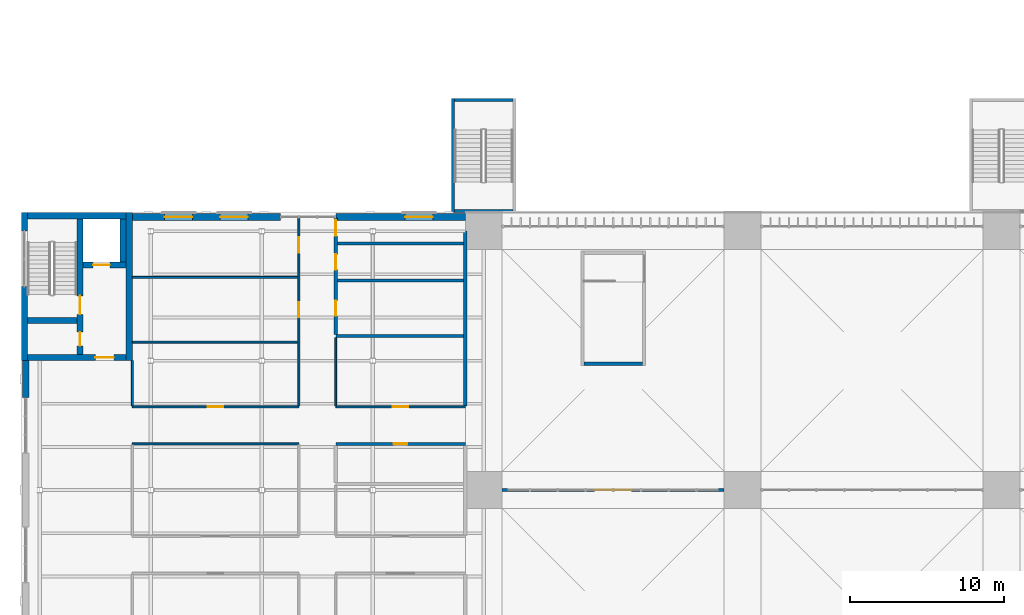
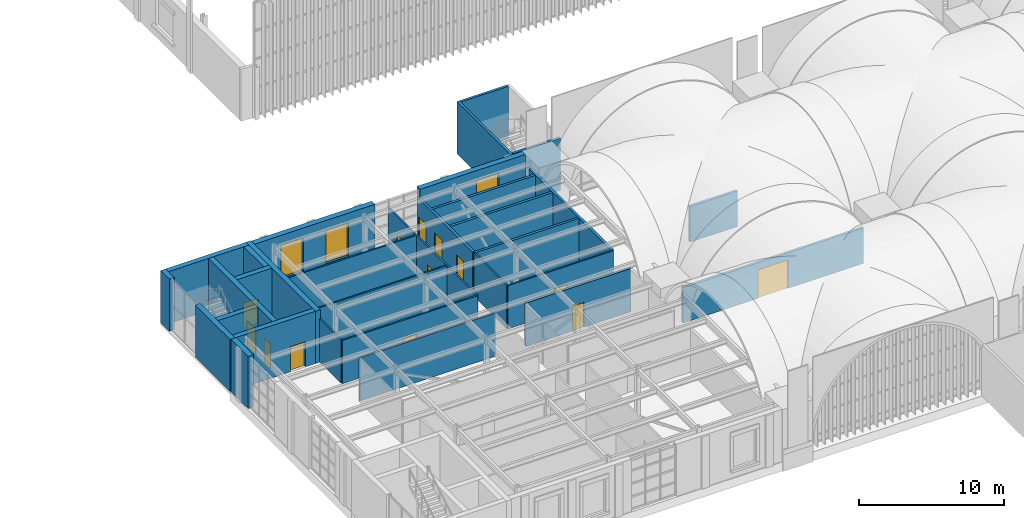
# One storey, part 98 of 169: 31 walls, 13 doors, 3 windows, 16 openings.
"""IFC4 building model written with IfcOpenShell, lengths in metres."""

from ifc_helpers import new_model, si_unit, direction, frame, frame_2d, origin, place, context, subcontext, project, spatial, rectangle, extrude, material, layer, layer_set, type_object, element, fill, save


model = new_model("IFC4")

# Units and contexts
model_context = context("Model", 3, precision=1e-05, world=origin(), true_north=direction((0.0, 1.0)))
body_context = subcontext(model_context, "Body", "Model", "MODEL_VIEW")
ifc_project = project(units=[si_unit("LENGTHUNIT", "METRE"), si_unit("AREAUNIT", "SQUARE_METRE"), si_unit("VOLUMEUNIT", "CUBIC_METRE"), si_unit("PLANEANGLEUNIT", "RADIAN"), si_unit("MASSUNIT", "GRAM", prefix="KILO")], contexts=[model_context])

# Site, building, storey
site_placement = place(None, origin())
site = spatial("IfcSite", under=ifc_project, at=site_placement, CompositionType="ELEMENT")
building_placement = place(site_placement, origin())
building = spatial("IfcBuilding", under=site, at=building_placement, Name="Verrick Yard Athletic Hall", CompositionType="ELEMENT")
storey_placement = place(building_placement, frame((0.0, 0.0, 4.39990234375)))
storey = spatial("IfcBuildingStorey", under=building, at=storey_placement, Name="L01", CompositionType="ELEMENT", Elevation=4.39990234375)

# Wall, opening, door
ifc_material_1 = material(Name="Concrete 35 MPa", Category="concrete")
ifc_layer_1 = layer(ifc_material_1, 0.199951171875)
ifc_layer_set_1 = layer_set([ifc_layer_1], Name="Concourse screen wall 200")
wall_type_1 = type_object("IfcWallType", Name="Concourse screen wall 200", PredefinedType="SOLIDWALL", material=ifc_layer_set_1)
wall_1_placement = place(storey_placement, frame((41.199951171875, 36.0, 0.0), z_axis=(0.0, 0.0, 1.0), x_axis=(1.0, 0.0, 0.0)))
wall_1 = element("IfcWall", 1, at=wall_1_placement, inside=storey, type_object=wall_type_1, Name="Concourse screen wall M1", PredefinedType="SOLIDWALL", context=body_context, shape_type="SweptSolid", body=[
    extrude(rectangle(XDim=14.400146484375, YDim=0.199951171875, at=frame_2d((7.2001953125, 0.0))), origin(), (0.0, 0.0, 1.0), 3.0),
])
opening_1_placement = place(wall_1_placement, frame((6.0, 0.0, 0.0)))
opening_1 = element("IfcOpeningElement", 2, at=opening_1_placement, cuts=wall_1, Name="Opening MD1", PredefinedType="OPENING", context=body_context, shape_type="SweptSolid", body=[
    extrude(rectangle(XDim=2.39990234375, YDim=2.39990234375, at=frame_2d((1.199951171875, 1.199951171875))), frame((0.0, 0.10986328125, 0.0), z_axis=(0.0, -1.0, 0.0), x_axis=(1.0, 0.0, 0.0)), (0.0, 0.0, 1.0), 0.219970703125),
])
ifc_material_2 = material(Name="Aluminium frame with double glazing", Category="aluminium")
door_type_1 = type_object("IfcDoorType", Name="Concourse door pair 2400 x 2400", OperationType="NOTDEFINED", PredefinedType="DOOR", material=ifc_material_2)
door_1_placement = place(opening_1_placement, origin())
door_1 = element("IfcDoor", 3, at=door_1_placement, inside=storey, type_object=door_type_1, Name="Concourse door M1", OperationType="DOUBLE_DOOR_SINGLE_SWING", OverallHeight=2.39990234375, OverallWidth=2.39990234375, PredefinedType="DOOR", context=body_context, shape_type="SweptSolid", body=[
    extrude(rectangle(XDim=2.39990234375, YDim=2.39990234375, at=frame_2d((1.199951171875, 1.199951171875))), frame((0.0, 0.02490234375, 0.0), z_axis=(0.0, -1.0, 0.0), x_axis=(1.0, 0.0, 0.0)), (0.0, 0.0, 1.0), 0.050048828125),
])
fill(opening_1, door_1)

# Wall, openings, doors
ifc_layer_2 = layer(ifc_material_1, 0.39990234375)
ifc_layer_set_2 = layer_set([ifc_layer_2], Name="Core wall CR400")
wall_type_2 = type_object("IfcWallType", Name="Core wall CR400", PredefinedType="SHEAR", material=ifc_layer_set_2)
wall_2_placement = place(storey_placement, frame((13.800048828125, 44.800048828125, 0.0), z_axis=(0.0, 0.0, 1.0), x_axis=(0.0, 1.0, 0.0)))
wall_2 = element("IfcWall", 4, at=wall_2_placement, inside=storey, type_object=wall_type_2, Name="CORE-CB2-WP-L01", PredefinedType="SHEAR", context=body_context, shape_type="SweptSolid", body=[
    extrude(rectangle(XDim=8.800048828125, YDim=0.39990234375, at=frame_2d((4.39990234375, 0.0))), origin(), (0.0, 0.0, 1.0), 4.400146484375),
])
opening_2_placement = place(wall_2_placement, frame((2.60009765625, 0.0, 0.0)))
opening_2 = element("IfcOpeningElement", 5, at=opening_2_placement, cuts=wall_2, Name="Opening SD1", PredefinedType="OPENING", context=body_context, shape_type="SweptSolid", body=[
    extrude(rectangle(XDim=1.199951171875, YDim=2.10009765625, at=frame_2d((0.60009765625, 1.050048828125))), frame((0.0, 0.2099609375, 0.0), z_axis=(0.0, -1.0, 0.0), x_axis=(1.0, 0.0, 0.0)), (0.0, 0.0, 1.0), 0.419921875),
])
opening_3_placement = place(wall_2_placement, frame((0.550048828125, 0.0, 0.0)))
opening_3 = element("IfcOpeningElement", 6, at=opening_3_placement, cuts=wall_2, Name="Opening RD1", PredefinedType="OPENING", context=body_context, shape_type="SweptSolid", body=[
    extrude(rectangle(XDim=0.89990234375, YDim=2.10009765625, at=frame_2d((0.449951171875, 1.050048828125))), frame((0.0, 0.2099609375, 0.0), z_axis=(0.0, -1.0, 0.0), x_axis=(1.0, 0.0, 0.0)), (0.0, 0.0, 1.0), 0.419921875),
])
ifc_material_3 = material(Name="Hollow metal door leaf")
door_type_2 = type_object("IfcDoorType", Name="Core door RD1 900x2100", OperationType="NOTDEFINED", PredefinedType="DOOR", material=ifc_material_3)
door_2_placement = place(opening_3_placement, origin())
door_2 = element("IfcDoor", 7, at=door_2_placement, inside=storey, type_object=door_type_2, Name="CORE-CB2-WP-L01-DRD1-4580", OperationType="SINGLE_SWING_RIGHT", OverallHeight=2.10009765625, OverallWidth=0.89990234375, PredefinedType="DOOR", context=body_context, shape_type="SweptSolid", body=[
    extrude(rectangle(XDim=0.89990234375, YDim=2.10009765625, at=frame_2d((0.449951171875, 1.050048828125))), frame((0.0, 0.02490234375, 0.0), z_axis=(0.0, -1.0, 0.0), x_axis=(1.0, 0.0, 0.0)), (0.0, 0.0, 1.0), 0.050048828125),
])
fill(opening_3, door_2)
door_type_3 = type_object("IfcDoorType", Name="Core door SD1 1200x2100", OperationType="NOTDEFINED", PredefinedType="DOOR", material=ifc_material_3)
door_3_placement = place(opening_2_placement, origin())
door_3 = element("IfcDoor", 8, at=door_3_placement, inside=storey, type_object=door_type_3, Name="CORE-CB2-WP-L01-DSD1-4800", OperationType="SINGLE_SWING_RIGHT", OverallHeight=2.10009765625, OverallWidth=1.199951171875, PredefinedType="DOOR", context=body_context, shape_type="SweptSolid", body=[
    extrude(rectangle(XDim=1.199951171875, YDim=2.10009765625, at=frame_2d((0.60009765625, 1.050048828125))), frame((0.0, 0.02490234375, 0.0), z_axis=(0.0, -1.0, 0.0), x_axis=(1.0, 0.0, 0.0)), (0.0, 0.0, 1.0), 0.050048828125),
])
fill(opening_2, door_3)

# Wall
wall_3_placement = place(storey_placement, frame((10.39990234375, 47.0, 0.0), z_axis=(0.0, 0.0, 1.0), x_axis=(1.0, 0.0, 0.0)))
element("IfcWall", 9, at=wall_3_placement, inside=storey, type_object=wall_type_2, Name="CORE-CB2-WSN-L01", PredefinedType="SHEAR", context=body_context, shape_type="SweptSolid", body=[
    extrude(rectangle(XDim=3.2001953125, YDim=0.39990234375, at=frame_2d((1.60009765625, 0.0))), origin(), (0.0, 0.0, 1.0), 4.400146484375),
])

# Wall, opening, door
wall_4_placement = place(storey_placement, frame((14.0, 50.60009765625, 0.0), z_axis=(0.0, 0.0, 1.0), x_axis=(1.0, 0.0, 0.0)))
wall_4 = element("IfcWall", 10, at=wall_4_placement, inside=storey, type_object=wall_type_2, Name="CORE-CB2-WLN-L01", PredefinedType="SHEAR", context=body_context, shape_type="SweptSolid", body=[
    extrude(rectangle(XDim=2.800048828125, YDim=0.39990234375, at=frame_2d((1.39990234375, 0.0))), origin(), (0.0, 0.0, 1.0), 4.400146484375),
])
opening_4_placement = place(wall_4_placement, frame((0.64990234375, 0.0, 0.0)))
opening_4 = element("IfcOpeningElement", 11, at=opening_4_placement, cuts=wall_4, Name="Opening LD", PredefinedType="OPENING", context=body_context, shape_type="SweptSolid", body=[
    extrude(rectangle(XDim=1.10009765625, YDim=2.10009765625, at=frame_2d((0.550048828125, 1.050048828125))), frame((0.0, 0.2099609375, 0.0), z_axis=(0.0, -1.0, 0.0), x_axis=(1.0, 0.0, 0.0)), (0.0, 0.0, 1.0), 0.419921875),
])
ifc_material_4 = material(Name="Stainless steel landing door", Category="steel")
door_type_4 = type_object("IfcDoorType", Name="Lift landing door LD 1100x2100", OperationType="NOTDEFINED", PredefinedType="DOOR", material=ifc_material_4)
door_4_placement = place(opening_4_placement, origin())
door_4 = element("IfcDoor", 12, at=door_4_placement, inside=storey, type_object=door_type_4, Name="Lift landing door", OperationType="SLIDING_TO_RIGHT", OverallHeight=2.10009765625, OverallWidth=1.10009765625, PredefinedType="DOOR", context=body_context, shape_type="SweptSolid", body=[
    extrude(rectangle(XDim=1.10009765625, YDim=2.10009765625, at=frame_2d((0.550048828125, 1.050048828125))), frame((0.0, 0.02490234375, 0.0), z_axis=(0.0, -1.0, 0.0), x_axis=(1.0, 0.0, 0.0)), (0.0, 0.0, 1.0), 0.050048828125),
])
fill(opening_4, door_4)

# Walls
wall_5_placement = place(storey_placement, frame((16.60009765625, 50.800048828125, 0.0), z_axis=(0.0, 0.0, 1.0), x_axis=(0.0, 1.0, 0.0)))
element("IfcWall", 13, at=wall_5_placement, inside=storey, type_object=wall_type_2, Name="CORE-CB2-WLE-L01", PredefinedType="SHEAR", context=body_context, shape_type="SweptSolid", body=[
    extrude(rectangle(XDim=2.800048828125, YDim=0.39990234375, at=frame_2d((1.39990234375, 0.0))), origin(), (0.0, 0.0, 1.0), 4.400146484375),
])
ifc_layer_3 = layer(ifc_material_1, 0.199951171875)
ifc_layer_set_3 = layer_set([ifc_layer_3], Name="Enclosure wall CR200")
wall_type_3 = type_object("IfcWallType", Name="Enclosure wall CR200", PredefinedType="SOLIDWALL", material=ifc_layer_set_3)
wall_6_placement = place(storey_placement, frame((46.5, 44.199951171875, 0.0), z_axis=(0.0, 0.0, 1.0), x_axis=(1.0, 0.0, 0.0)))
element("IfcWall", 14, at=wall_6_placement, inside=storey, type_object=wall_type_3, Name="CORE-PS-N1-WS-L01", PredefinedType="SOLIDWALL", context=body_context, shape_type="SweptSolid", body=[
    extrude(rectangle(XDim=3.800048828125, YDim=0.199951171875, at=frame_2d((1.89990234375, 0.0))), origin(), (0.0, 0.0, 1.0), 3.0),
])
ifc_layer_4 = layer(ifc_material_1, 0.39990234375)
ifc_layer_set_4 = layer_set([ifc_layer_4], Name="External core wall CR400")
wall_type_4 = type_object("IfcWallType", Name="External core wall CR400", PredefinedType="SHEAR", material=ifc_layer_set_4)
wall_7_placement = place(storey_placement, frame((10.199951171875, 44.39990234375, 0.0), z_axis=(0.0, 0.0, 1.0), x_axis=(0.0, 1.0, 0.0)))
element("IfcWall", 15, at=wall_7_placement, inside=storey, type_object=wall_type_4, Name="CORE-CB2-WW-L01-0", PredefinedType="SHEAR", context=body_context, shape_type="SweptSolid", body=[
    extrude(rectangle(XDim=4.800048828125, YDim=0.39990234375, at=frame_2d((2.39990234375, 0.0))), origin(), (0.0, 0.0, 1.0), 4.400146484375),
])
wall_8_placement = place(storey_placement, frame((10.199951171875, 52.800048828125, 0.0), z_axis=(0.0, 0.0, 1.0), x_axis=(0.0, 1.0, 0.0)))
element("IfcWall", 16, at=wall_8_placement, inside=storey, type_object=wall_type_4, Name="CORE-CB2-WW-L01-1", PredefinedType="SHEAR", context=body_context, shape_type="SweptSolid", body=[
    extrude(rectangle(XDim=1.199951171875, YDim=0.39990234375, at=frame_2d((0.60009765625, 0.0))), origin(), (0.0, 0.0, 1.0), 4.400146484375),
])
wall_9_placement = place(storey_placement, frame((17.0, 44.39990234375, 0.0), z_axis=(0.0, 0.0, 1.0), x_axis=(0.0, 1.0, 0.0)))
element("IfcWall", 17, at=wall_9_placement, inside=storey, type_object=wall_type_4, Name="CORE-CB2-WE-L01", PredefinedType="SHEAR", context=body_context, shape_type="SweptSolid", body=[
    extrude(rectangle(XDim=9.60009765625, YDim=0.39990234375, at=frame_2d((4.800048828125, 0.0))), origin(), (0.0, 0.0, 1.0), 4.400146484375),
])
wall_10_placement = place(storey_placement, frame((10.39990234375, 53.800048828125, 0.0), z_axis=(0.0, 0.0, 1.0), x_axis=(1.0, 0.0, 0.0)))
element("IfcWall", 18, at=wall_10_placement, inside=storey, type_object=wall_type_4, Name="CORE-CB2-WS-L01", PredefinedType="SHEAR", context=body_context, shape_type="SweptSolid", body=[
    extrude(rectangle(XDim=6.400146484375, YDim=0.39990234375, at=frame_2d((3.2001953125, 0.0))), origin(), (0.0, 0.0, 1.0), 4.400146484375),
])

# Wall, opening, door
wall_11_placement = place(storey_placement, frame((10.39990234375, 44.60009765625, 0.0), z_axis=(0.0, 0.0, 1.0), x_axis=(1.0, 0.0, 0.0)))
wall_11 = element("IfcWall", 19, at=wall_11_placement, inside=storey, type_object=wall_type_4, Name="CORE-CB2-WN-L01", PredefinedType="SHEAR", context=body_context, shape_type="SweptSolid", body=[
    extrude(rectangle(XDim=6.400146484375, YDim=0.39990234375, at=frame_2d((3.2001953125, 0.0))), origin(), (0.0, 0.0, 1.0), 4.400146484375),
])
opening_5_placement = place(wall_11_placement, frame((4.39990234375, 0.0, 0.0)))
opening_5 = element("IfcOpeningElement", 20, at=opening_5_placement, cuts=wall_11, Name="Opening LB1", PredefinedType="OPENING", context=body_context, shape_type="SweptSolid", body=[
    extrude(rectangle(XDim=1.199951171875, YDim=2.10009765625, at=frame_2d((0.60009765625, 1.050048828125))), frame((0.0, 0.2099609375, 0.0), z_axis=(0.0, -1.0, 0.0), x_axis=(1.0, 0.0, 0.0)), (0.0, 0.0, 1.0), 0.419921875),
])
door_type_5 = type_object("IfcDoorType", Name="Core door LB1 1200x2100", OperationType="NOTDEFINED", PredefinedType="DOOR", material=ifc_material_3)
door_5_placement = place(opening_5_placement, origin())
door_5 = element("IfcDoor", 21, at=door_5_placement, inside=storey, type_object=door_type_5, Name="CORE-CB2-WN-L01-DLB1-1540", OperationType="SINGLE_SWING_RIGHT", OverallHeight=2.10009765625, OverallWidth=1.199951171875, PredefinedType="DOOR", context=body_context, shape_type="SweptSolid", body=[
    extrude(rectangle(XDim=1.199951171875, YDim=2.10009765625, at=frame_2d((0.60009765625, 1.050048828125))), frame((0.0, 0.02490234375, 0.0), z_axis=(0.0, -1.0, 0.0), x_axis=(1.0, 0.0, 0.0)), (0.0, 0.0, 1.0), 0.050048828125),
])
fill(opening_5, door_5)

# Walls
ifc_layer_5 = layer(ifc_material_1, 0.199951171875)
ifc_layer_set_5 = layer_set([ifc_layer_5], Name="External enclosure wall CR200")
wall_type_5 = type_object("IfcWallType", Name="External enclosure wall CR200", PredefinedType="SOLIDWALL", material=ifc_layer_set_5)
wall_12_placement = place(storey_placement, frame((38.0, 54.0, 0.0), z_axis=(0.0, 0.0, 1.0), x_axis=(0.0, 1.0, 0.0)))
element("IfcWall", 22, at=wall_12_placement, inside=storey, type_object=wall_type_5, Name="CORE-DT-N1-WW-L01", PredefinedType="SOLIDWALL", context=body_context, shape_type="SweptSolid", body=[
    extrude(rectangle(XDim=7.39990234375, YDim=0.199951171875, at=frame_2d((3.699951171875, 0.0))), origin(), (0.0, 0.0, 1.0), 4.400146484375),
])
for number, where, z_axis, x_axis, name in (
    (23, (38.10009765625, 54.10009765625, 0.0), (0.0, 0.0, 1.0), (1.0, 0.0, 0.0), "CORE-DT-N1-WS-L01"),
    (24, (38.10009765625, 61.300048828125, 0.0), (0.0, 0.0, 1.0), (1.0, 0.0, 0.0), "CORE-DT-N1-WN-L01"),
):
    element("IfcWall", number, at=place(storey_placement, frame(where, z_axis=z_axis, x_axis=x_axis)), inside=storey, type_object=wall_type_5, Name=name, PredefinedType="SOLIDWALL", context=body_context, shape_type="SweptSolid", body=[
        extrude(rectangle(XDim=3.7998046875, YDim=0.199951171875, at=frame_2d((1.89990234375, 0.0))), origin(), (0.0, 0.0, 1.0), 4.400146484375),
    ])

# Wall, opening, door
ifc_material_5 = material(Name="Concrete masonry block 15 MPa", Category="masonry")
ifc_layer_6 = layer(ifc_material_5, 0.199951171875)
ifc_layer_set_6 = layer_set([ifc_layer_6], Name="PW1 Block partition 200")
wall_type_6 = type_object("IfcWallType", Name="PW1 Block partition 200", PredefinedType="PARTITIONING", material=ifc_layer_set_6)
wall_13_placement = place(storey_placement, frame((30.39990234375, 39.0, 0.0), z_axis=(0.0, 0.0, 1.0), x_axis=(1.0, 0.0, 0.0)))
wall_13 = element("IfcWall", 25, at=wall_13_placement, inside=storey, type_object=wall_type_6, Name="Partition PW1", PredefinedType="PARTITIONING", context=body_context, shape_type="SweptSolid", body=[
    extrude(rectangle(XDim=8.400146484375, YDim=0.199951171875, at=frame_2d((4.2001953125, 0.0))), origin(), (0.0, 0.0, 1.0), 3.650146484375),
])
opening_6_placement = place(wall_13_placement, frame((3.75, 0.0, 0.0)))
opening_6 = element("IfcOpeningElement", 26, at=opening_6_placement, cuts=wall_13, Name="Opening D2", PredefinedType="OPENING", context=body_context, shape_type="SweptSolid", body=[
    extrude(rectangle(XDim=0.89990234375, YDim=2.10009765625, at=frame_2d((0.449951171875, 1.050048828125))), frame((0.0, 0.10986328125, 0.0), z_axis=(0.0, -1.0, 0.0), x_axis=(1.0, 0.0, 0.0)), (0.0, 0.0, 1.0), 0.219970703125),
])
ifc_material_6 = material(Name="Timber door leaf in steel frame", Category="steel")
door_type_6 = type_object("IfcDoorType", Name="D2 Single door 900 x 2100", OperationType="NOTDEFINED", PredefinedType="DOOR", material=ifc_material_6)
door_6_placement = place(opening_6_placement, origin())
door_6 = element("IfcDoor", 27, at=door_6_placement, inside=storey, type_object=door_type_6, Name="D2 Clinic Store", OperationType="SINGLE_SWING_LEFT", OverallHeight=2.10009765625, OverallWidth=0.89990234375, PredefinedType="DOOR", context=body_context, shape_type="SweptSolid", body=[
    extrude(rectangle(XDim=0.89990234375, YDim=2.10009765625, at=frame_2d((0.449951171875, 1.050048828125))), frame((0.0, 0.02490234375, 0.0), z_axis=(0.0, -1.0, 0.0), x_axis=(1.0, 0.0, 0.0)), (0.0, 0.0, 1.0), 0.050048828125),
])
fill(opening_6, door_6)

# Walls
wall_14_placement = place(storey_placement, frame((30.39990234375, 46.0, 0.0), z_axis=(0.0, 0.0, 1.0), x_axis=(1.0, 0.0, 0.0)))
element("IfcWall", 28, at=wall_14_placement, inside=storey, type_object=wall_type_6, Name="Partition PW1", PredefinedType="PARTITIONING", context=body_context, shape_type="SweptSolid", body=[
    extrude(rectangle(XDim=8.300048828125, YDim=0.199951171875, at=frame_2d((4.14990234375, 0.0))), origin(), (0.0, 0.0, 1.0), 3.650146484375),
])
for number, where, z_axis, x_axis, name in (
    (29, (30.5, 49.60009765625, 0.0), (0.0, 0.0, 1.0), (1.0, 0.0, 0.0), "Partition PW1"),
    (30, (30.5, 52.0, 0.0), (0.0, 0.0, 1.0), (1.0, 0.0, 0.0), "Partition PW1"),
):
    element("IfcWall", number, at=place(storey_placement, frame(where, z_axis=z_axis, x_axis=x_axis)), inside=storey, type_object=wall_type_6, Name=name, PredefinedType="PARTITIONING", context=body_context, shape_type="SweptSolid", body=[
        extrude(rectangle(XDim=8.199951171875, YDim=0.199951171875, at=frame_2d((4.10009765625, 0.0))), origin(), (0.0, 0.0, 1.0), 3.650146484375),
    ])

# Wall, openings, doors
wall_15_placement = place(storey_placement, frame((30.39990234375, 46.10009765625, 0.0), z_axis=(0.0, 0.0, 1.0), x_axis=(0.0, 1.0, 0.0)))
wall_15 = element("IfcWall", 31, at=wall_15_placement, inside=storey, type_object=wall_type_6, Name="Partition PW1", PredefinedType="PARTITIONING", context=body_context, shape_type="SweptSolid", body=[
    extrude(rectangle(XDim=7.548583984375, YDim=0.199951171875, at=frame_2d((3.7744140625, 0.0))), origin(), (0.0, 0.0, 1.0), 3.650146484375),
])
opening_7_placement = place(wall_15_placement, frame((1.199951171875, 0.0, 0.0)))
opening_7 = element("IfcOpeningElement", 32, at=opening_7_placement, cuts=wall_15, Name="Opening D1", PredefinedType="OPENING", context=body_context, shape_type="SweptSolid", body=[
    extrude(rectangle(XDim=1.0, YDim=2.10009765625, at=frame_2d((0.5, 1.050048828125))), frame((0.0, 0.10986328125, 0.0), z_axis=(0.0, -1.0, 0.0), x_axis=(1.0, 0.0, 0.0)), (0.0, 0.0, 1.0), 0.219970703125),
])
opening_8_placement = place(wall_15_placement, frame((4.199951171875, 0.0, 0.0)))
opening_8 = element("IfcOpeningElement", 33, at=opening_8_placement, cuts=wall_15, Name="Opening D1", PredefinedType="OPENING", context=body_context, shape_type="SweptSolid", body=[
    extrude(rectangle(XDim=1.0, YDim=2.10009765625, at=frame_2d((0.5, 1.050048828125))), frame((0.0, 0.10986328125, 0.0), z_axis=(0.0, -1.0, 0.0), x_axis=(1.0, 0.0, 0.0)), (0.0, 0.0, 1.0), 0.219970703125),
])
opening_9_placement = place(wall_15_placement, frame((6.39990234375, 0.0, 0.0)))
opening_9 = element("IfcOpeningElement", 34, at=opening_9_placement, cuts=wall_15, Name="Opening D1", PredefinedType="OPENING", context=body_context, shape_type="SweptSolid", body=[
    extrude(rectangle(XDim=1.0, YDim=2.10009765625, at=frame_2d((0.5, 1.050048828125))), frame((0.0, 0.10986328125, 0.0), z_axis=(0.0, -1.0, 0.0), x_axis=(1.0, 0.0, 0.0)), (0.0, 0.0, 1.0), 0.219970703125),
])
door_type_7 = type_object("IfcDoorType", Name="D1 Single door 1000 x 2100", OperationType="NOTDEFINED", PredefinedType="DOOR", material=ifc_material_6)
door_7_placement = place(opening_7_placement, origin())
door_7 = element("IfcDoor", 35, at=door_7_placement, inside=storey, type_object=door_type_7, Name="D1 Clinic WC Women", OperationType="SINGLE_SWING_LEFT", OverallHeight=2.10009765625, OverallWidth=1.0, PredefinedType="DOOR", context=body_context, shape_type="SweptSolid", body=[
    extrude(rectangle(XDim=1.0, YDim=2.10009765625, at=frame_2d((0.5, 1.050048828125))), frame((0.0, 0.02490234375, 0.0), z_axis=(0.0, -1.0, 0.0), x_axis=(1.0, 0.0, 0.0)), (0.0, 0.0, 1.0), 0.050048828125),
])
fill(opening_7, door_7)
door_8_placement = place(opening_8_placement, origin())
door_8 = element("IfcDoor", 36, at=door_8_placement, inside=storey, type_object=door_type_7, Name="D1 Clinic WC Men", OperationType="SINGLE_SWING_LEFT", OverallHeight=2.10009765625, OverallWidth=1.0, PredefinedType="DOOR", context=body_context, shape_type="SweptSolid", body=[
    extrude(rectangle(XDim=1.0, YDim=2.10009765625, at=frame_2d((0.5, 1.050048828125))), frame((0.0, 0.02490234375, 0.0), z_axis=(0.0, -1.0, 0.0), x_axis=(1.0, 0.0, 0.0)), (0.0, 0.0, 1.0), 0.050048828125),
])
fill(opening_8, door_8)
door_9_placement = place(opening_9_placement, origin())
door_9 = element("IfcDoor", 37, at=door_9_placement, inside=storey, type_object=door_type_7, Name="D1 Accessible WC", OperationType="SINGLE_SWING_LEFT", OverallHeight=2.10009765625, OverallWidth=1.0, PredefinedType="DOOR", context=body_context, shape_type="SweptSolid", body=[
    extrude(rectangle(XDim=1.0, YDim=2.10009765625, at=frame_2d((0.5, 1.050048828125))), frame((0.0, 0.02490234375, 0.0), z_axis=(0.0, -1.0, 0.0), x_axis=(1.0, 0.0, 0.0)), (0.0, 0.0, 1.0), 0.050048828125),
])
fill(opening_9, door_9)

# Wall
ifc_material_7 = material(Name="Gypsum plasterboard on light-gauge studs")
ifc_layer_7 = layer(ifc_material_7, 0.125)
ifc_layer_set_7 = layer_set([ifc_layer_7], Name="PW2 Stud partition 125")
wall_type_7 = type_object("IfcWallType", Name="PW2 Stud partition 125", PredefinedType="PARTITIONING", material=ifc_layer_set_7)
wall_16_placement = place(storey_placement, frame((17.199951171875, 39.0, 0.0), z_axis=(0.0, 0.0, 1.0), x_axis=(1.0, 0.0, 0.0)))
element("IfcWall", 38, at=wall_16_placement, inside=storey, type_object=wall_type_7, Name="Partition PW2", PredefinedType="PARTITIONING", context=body_context, shape_type="SweptSolid", body=[
    extrude(rectangle(XDim=10.800048828125, YDim=0.125, at=frame_2d((5.39990234375, 0.0))), origin(), (0.0, 0.0, 1.0), 3.650146484375),
])

# Wall, opening, door
wall_17_placement = place(storey_placement, frame((17.199951171875, 41.39990234375, 0.0), z_axis=(0.0, 0.0, 1.0), x_axis=(1.0, 0.0, 0.0)))
wall_17 = element("IfcWall", 39, at=wall_17_placement, inside=storey, type_object=wall_type_7, Name="Partition PW2", PredefinedType="PARTITIONING", context=body_context, shape_type="SweptSolid", body=[
    extrude(rectangle(XDim=10.800048828125, YDim=0.125, at=frame_2d((5.39990234375, 0.0))), origin(), (0.0, 0.0, 1.0), 3.650146484375),
])
opening_10_placement = place(wall_17_placement, frame((4.89990234375, 0.0, 0.0)))
opening_10 = element("IfcOpeningElement", 40, at=opening_10_placement, cuts=wall_17, Name="Opening D1", PredefinedType="OPENING", context=body_context, shape_type="SweptSolid", body=[
    extrude(rectangle(XDim=1.0, YDim=2.10009765625, at=frame_2d((0.5, 1.050048828125))), frame((0.0, 0.072509765625, 0.0), z_axis=(0.0, -1.0, 0.0), x_axis=(1.0, 0.0, 0.0)), (0.0, 0.0, 1.0), 0.14501953125),
])
door_10_placement = place(opening_10_placement, origin())
door_10 = element("IfcDoor", 41, at=door_10_placement, inside=storey, type_object=door_type_7, Name="D1 Consulting Room 4", OperationType="SINGLE_SWING_RIGHT", OverallHeight=2.10009765625, OverallWidth=1.0, PredefinedType="DOOR", context=body_context, shape_type="SweptSolid", body=[
    extrude(rectangle(XDim=1.0, YDim=2.10009765625, at=frame_2d((0.5, 1.050048828125))), frame((0.0, 0.02490234375, 0.0), z_axis=(0.0, -1.0, 0.0), x_axis=(1.0, 0.0, 0.0)), (0.0, 0.0, 1.0), 0.050048828125),
])
fill(opening_10, door_10)

wall_18_placement = place(storey_placement, frame((30.39990234375, 41.39990234375, 0.0), z_axis=(0.0, 0.0, 1.0), x_axis=(1.0, 0.0, 0.0)))
wall_18 = element("IfcWall", 42, at=wall_18_placement, inside=storey, type_object=wall_type_7, Name="Partition PW2", PredefinedType="PARTITIONING", context=body_context, shape_type="SweptSolid", body=[
    extrude(rectangle(XDim=8.400146484375, YDim=0.125, at=frame_2d((4.2001953125, 0.0))), origin(), (0.0, 0.0, 1.0), 3.650146484375),
])
opening_11_placement = place(wall_18_placement, frame((3.699951171875, 0.0, 0.0)))
opening_11 = element("IfcOpeningElement", 43, at=opening_11_placement, cuts=wall_18, Name="Opening D1", PredefinedType="OPENING", context=body_context, shape_type="SweptSolid", body=[
    extrude(rectangle(XDim=1.0, YDim=2.10009765625, at=frame_2d((0.5, 1.050048828125))), frame((0.0, 0.072509765625, 0.0), z_axis=(0.0, -1.0, 0.0), x_axis=(1.0, 0.0, 0.0)), (0.0, 0.0, 1.0), 0.14501953125),
])
door_11_placement = place(opening_11_placement, origin())
door_11 = element("IfcDoor", 44, at=door_11_placement, inside=storey, type_object=door_type_7, Name="D1 Treatment Room 3", OperationType="SINGLE_SWING_LEFT", OverallHeight=2.10009765625, OverallWidth=1.0, PredefinedType="DOOR", context=body_context, shape_type="SweptSolid", body=[
    extrude(rectangle(XDim=1.0, YDim=2.10009765625, at=frame_2d((0.5, 1.050048828125))), frame((0.0, 0.02490234375, 0.0), z_axis=(0.0, -1.0, 0.0), x_axis=(1.0, 0.0, 0.0)), (0.0, 0.0, 1.0), 0.050048828125),
])
fill(opening_11, door_11)

# Walls
for number, where, z_axis, x_axis, name in (
    (45, (17.199951171875, 45.60009765625, 0.0), (0.0, 0.0, 1.0), (1.0, 0.0, 0.0), "Partition PW2"),
    (46, (17.199951171875, 49.800048828125, 0.0), (0.0, 0.0, 1.0), (1.0, 0.0, 0.0), "Partition PW2"),
):
    element("IfcWall", number, at=place(storey_placement, frame(where, z_axis=z_axis, x_axis=x_axis)), inside=storey, type_object=wall_type_7, Name=name, PredefinedType="PARTITIONING", context=body_context, shape_type="SweptSolid", body=[
        extrude(rectangle(XDim=10.737548828125, YDim=0.125, at=frame_2d((5.36865234375, 0.0))), origin(), (0.0, 0.0, 1.0), 3.650146484375),
    ])
wall_19_placement = place(storey_placement, frame((17.199951171875, 41.46240234375, 0.0), z_axis=(0.0, 0.0, 1.0), x_axis=(0.0, 1.0, 0.0)))
element("IfcWall", 47, at=wall_19_placement, inside=storey, type_object=wall_type_7, Name="Partition PW2", PredefinedType="PARTITIONING", context=body_context, shape_type="SweptSolid", body=[
    extrude(rectangle(XDim=2.9375, YDim=0.125, at=frame_2d((1.46875, 0.0))), origin(), (0.0, 0.0, 1.0), 3.650146484375),
])

# Wall, openings, doors
wall_20_placement = place(storey_placement, frame((28.0, 41.46240234375, 0.0), z_axis=(0.0, 0.0, 1.0), x_axis=(0.0, 1.0, 0.0)))
wall_20 = element("IfcWall", 48, at=wall_20_placement, inside=storey, type_object=wall_type_7, Name="Partition PW2", PredefinedType="PARTITIONING", context=body_context, shape_type="SweptSolid", body=[
    extrude(rectangle(XDim=12.186279296875, YDim=0.125, at=frame_2d((6.09326171875, 0.0))), origin(), (0.0, 0.0, 1.0), 3.650146484375),
])
opening_12_placement = place(wall_20_placement, frame((5.738037109375, 0.0, 0.0)))
opening_12 = element("IfcOpeningElement", 49, at=opening_12_placement, cuts=wall_20, Name="Opening D1", PredefinedType="OPENING", context=body_context, shape_type="SweptSolid", body=[
    extrude(rectangle(XDim=1.0, YDim=2.10009765625, at=frame_2d((0.5, 1.050048828125))), frame((0.0, 0.072509765625, 0.0), z_axis=(0.0, -1.0, 0.0), x_axis=(1.0, 0.0, 0.0)), (0.0, 0.0, 1.0), 0.14501953125),
])
opening_13_placement = place(wall_20_placement, frame((9.93798828125, 0.0, 0.0)))
opening_13 = element("IfcOpeningElement", 50, at=opening_13_placement, cuts=wall_20, Name="Opening D1", PredefinedType="OPENING", context=body_context, shape_type="SweptSolid", body=[
    extrude(rectangle(XDim=1.0, YDim=2.10009765625, at=frame_2d((0.5, 1.050048828125))), frame((0.0, 0.072509765625, 0.0), z_axis=(0.0, -1.0, 0.0), x_axis=(1.0, 0.0, 0.0)), (0.0, 0.0, 1.0), 0.14501953125),
])
door_12_placement = place(opening_12_placement, origin())
door_12 = element("IfcDoor", 51, at=door_12_placement, inside=storey, type_object=door_type_7, Name="D1 Treatment Room 1", OperationType="SINGLE_SWING_RIGHT", OverallHeight=2.10009765625, OverallWidth=1.0, PredefinedType="DOOR", context=body_context, shape_type="SweptSolid", body=[
    extrude(rectangle(XDim=1.0, YDim=2.10009765625, at=frame_2d((0.5, 1.050048828125))), frame((0.0, 0.02490234375, 0.0), z_axis=(0.0, -1.0, 0.0), x_axis=(1.0, 0.0, 0.0)), (0.0, 0.0, 1.0), 0.050048828125),
])
fill(opening_12, door_12)
door_13_placement = place(opening_13_placement, origin())
door_13 = element("IfcDoor", 52, at=door_13_placement, inside=storey, type_object=door_type_7, Name="D1 Treatment Room 2", OperationType="SINGLE_SWING_LEFT", OverallHeight=2.10009765625, OverallWidth=1.0, PredefinedType="DOOR", context=body_context, shape_type="SweptSolid", body=[
    extrude(rectangle(XDim=1.0, YDim=2.10009765625, at=frame_2d((0.5, 1.050048828125))), frame((0.0, 0.02490234375, 0.0), z_axis=(0.0, -1.0, 0.0), x_axis=(1.0, 0.0, 0.0)), (0.0, 0.0, 1.0), 0.050048828125),
])
fill(opening_13, door_13)

# Walls
wall_21_placement = place(storey_placement, frame((30.39990234375, 41.46240234375, 0.0), z_axis=(0.0, 0.0, 1.0), x_axis=(0.0, 1.0, 0.0)))
element("IfcWall", 53, at=wall_21_placement, inside=storey, type_object=wall_type_7, Name="Partition PW2", PredefinedType="PARTITIONING", context=body_context, shape_type="SweptSolid", body=[
    extrude(rectangle(XDim=4.4375, YDim=0.125, at=frame_2d((2.21875, 0.0))), origin(), (0.0, 0.0, 1.0), 3.650146484375),
])
ifc_layer_8 = layer(ifc_material_5, 0.199951171875)
ifc_layer_set_8 = layer_set([ifc_layer_8], Name="PW3 Fire-rated block partition 200")
wall_type_8 = type_object("IfcWallType", Name="PW3 Fire-rated block partition 200", PredefinedType="PARTITIONING", material=ifc_layer_set_8)
wall_22_placement = place(storey_placement, frame((38.800048828125, 41.46240234375, 0.0), z_axis=(0.0, 0.0, 1.0), x_axis=(0.0, 1.0, 0.0)))
element("IfcWall", 54, at=wall_22_placement, inside=storey, type_object=wall_type_8, Name="Partition PW3", PredefinedType="PARTITIONING", context=body_context, shape_type="SweptSolid", body=[
    extrude(rectangle(XDim=11.337646484375, YDim=0.199951171875, at=frame_2d((5.6689453125, 0.0))), origin(), (0.0, 0.0, 1.0), 3.650146484375),
])

# Wall, openings, windows
ifc_material_8 = material(Name="Clay face brick, red-brown", Category="masonry")
ifc_layer_9 = layer(ifc_material_8, 0.0625, Name="Clay face brick, red-brown")
ifc_material_9 = material(Name="Mineral wool insulation")
ifc_layer_10 = layer(ifc_material_9, 0.125, Name="Mineral wool insulation")
ifc_layer_11 = layer(ifc_material_1, 0.25, Name="Concrete 35 MPa")
ifc_layer_set_9 = layer_set([ifc_layer_9, ifc_layer_10, ifc_layer_11], Name="Wing upper wall")
wall_type_9 = type_object("IfcWallType", Name="Wing upper wall", PredefinedType="SOLIDWALL", material=ifc_layer_set_9)
wall_23_placement = place(storey_placement, frame((17.199951171875, 53.71875, 0.0), z_axis=(0.0, 0.0, 1.0), x_axis=(1.0, 0.0, 0.0)))
wall_23 = element("IfcWall", 55, at=wall_23_placement, inside=storey, type_object=wall_type_9, Name="ENVB-WN-L01-1", PredefinedType="SOLIDWALL", context=body_context, shape_type="SweptSolid", body=[
    extrude(rectangle(XDim=9.60009765625, YDim=0.4375, at=frame_2d((4.800048828125, 0.0))), origin(), (0.0, 0.0, 1.0), 4.400146484375),
])
opening_14_placement = place(wall_23_placement, frame((2.10009765625, 0.0, 0.75)))
opening_14 = element("IfcOpeningElement", 56, at=opening_14_placement, cuts=wall_23, Name="Opening W22", PredefinedType="OPENING", context=body_context, shape_type="SweptSolid", body=[
    extrude(rectangle(XDim=1.800048828125, YDim=2.800048828125, at=frame_2d((0.89990234375, 1.39990234375))), frame((0.0, 0.228759765625, 0.0), z_axis=(0.0, -1.0, 0.0), x_axis=(1.0, 0.0, 0.0)), (0.0, 0.0, 1.0), 0.45751953125),
])
opening_15_placement = place(wall_23_placement, frame((5.699951171875, 0.0, 0.75)))
opening_15 = element("IfcOpeningElement", 57, at=opening_15_placement, cuts=wall_23, Name="Opening W22", PredefinedType="OPENING", context=body_context, shape_type="SweptSolid", body=[
    extrude(rectangle(XDim=1.800048828125, YDim=2.800048828125, at=frame_2d((0.89990234375, 1.39990234375))), frame((0.0, 0.228759765625, 0.0), z_axis=(0.0, -1.0, 0.0), x_axis=(1.0, 0.0, 0.0)), (0.0, 0.0, 1.0), 0.45751953125),
])
ifc_material_10 = material(Name="Anodised aluminium frame with insulated glazing", Category="aluminium")
window_type = type_object("IfcWindowType", Name="Wing window 1800x2800", PartitioningType="NOTDEFINED", PredefinedType="WINDOW", material=ifc_material_10)
window_1_placement = place(opening_14_placement, origin())
window_1 = element("IfcWindow", 58, at=window_1_placement, inside=storey, type_object=window_type, Name="ENVB-WN-L01-1-W202", OverallHeight=2.800048828125, OverallWidth=1.800048828125, PartitioningType="SINGLE_PANEL", PredefinedType="WINDOW", context=body_context, shape_type="SweptSolid", body=[
    extrude(rectangle(XDim=1.800048828125, YDim=2.800048828125, at=frame_2d((0.89990234375, 1.39990234375))), frame((0.0, 0.030029296875, 0.0), z_axis=(0.0, -1.0, 0.0), x_axis=(1.0, 0.0, 0.0)), (0.0, 0.0, 1.0), 0.06005859375),
])
fill(opening_14, window_1)
window_2_placement = place(opening_15_placement, origin())
window_2 = element("IfcWindow", 59, at=window_2_placement, inside=storey, type_object=window_type, Name="ENVB-WN-L01-1-W238", OverallHeight=2.800048828125, OverallWidth=1.800048828125, PartitioningType="SINGLE_PANEL", PredefinedType="WINDOW", context=body_context, shape_type="SweptSolid", body=[
    extrude(rectangle(XDim=1.800048828125, YDim=2.800048828125, at=frame_2d((0.89990234375, 1.39990234375))), frame((0.0, 0.030029296875, 0.0), z_axis=(0.0, -1.0, 0.0), x_axis=(1.0, 0.0, 0.0)), (0.0, 0.0, 1.0), 0.06005859375),
])
fill(opening_15, window_2)

# Wall, opening, window
wall_24_placement = place(storey_placement, frame((30.39990234375, 53.71875, 0.0), z_axis=(0.0, 0.0, 1.0), x_axis=(1.0, 0.0, 0.0)))
wall_24 = element("IfcWall", 60, at=wall_24_placement, inside=storey, type_object=wall_type_9, Name="ENVB-WN-L01-2", PredefinedType="SOLIDWALL", context=body_context, shape_type="SweptSolid", body=[
    extrude(rectangle(XDim=8.400146484375, YDim=0.4375, at=frame_2d((4.2001953125, 0.0))), origin(), (0.0, 0.0, 1.0), 4.400146484375),
])
opening_16_placement = place(wall_24_placement, frame((4.5, 0.0, 0.75)))
opening_16 = element("IfcOpeningElement", 61, at=opening_16_placement, cuts=wall_24, Name="Opening W22", PredefinedType="OPENING", context=body_context, shape_type="SweptSolid", body=[
    extrude(rectangle(XDim=1.800048828125, YDim=2.800048828125, at=frame_2d((0.89990234375, 1.39990234375))), frame((0.0, 0.228759765625, 0.0), z_axis=(0.0, -1.0, 0.0), x_axis=(1.0, 0.0, 0.0)), (0.0, 0.0, 1.0), 0.45751953125),
])
window_3_placement = place(opening_16_placement, origin())
window_3 = element("IfcWindow", 62, at=window_3_placement, inside=storey, type_object=window_type, Name="ENVB-WN-L01-2-W358", OverallHeight=2.800048828125, OverallWidth=1.800048828125, PartitioningType="SINGLE_PANEL", PredefinedType="WINDOW", context=body_context, shape_type="SweptSolid", body=[
    extrude(rectangle(XDim=1.800048828125, YDim=2.800048828125, at=frame_2d((0.89990234375, 1.39990234375))), frame((0.0, 0.030029296875, 0.0), z_axis=(0.0, -1.0, 0.0), x_axis=(1.0, 0.0, 0.0)), (0.0, 0.0, 1.0), 0.06005859375),
])
fill(opening_16, window_3)

# Wall
wall_25_placement = place(storey_placement, frame((10.28125, 42.0, 0.0), z_axis=(0.0, 0.0, 1.0), x_axis=(0.0, 1.0, 0.0)))
element("IfcWall", 63, at=wall_25_placement, inside=storey, type_object=wall_type_9, Name="ENVB-WW-L01-3", PredefinedType="SOLIDWALL", context=body_context, shape_type="SweptSolid", body=[
    extrude(rectangle(XDim=2.39990234375, YDim=0.4375, at=frame_2d((1.199951171875, 0.0))), origin(), (0.0, 0.0, 1.0), 4.400146484375),
])

save(model, "model.ifc")
